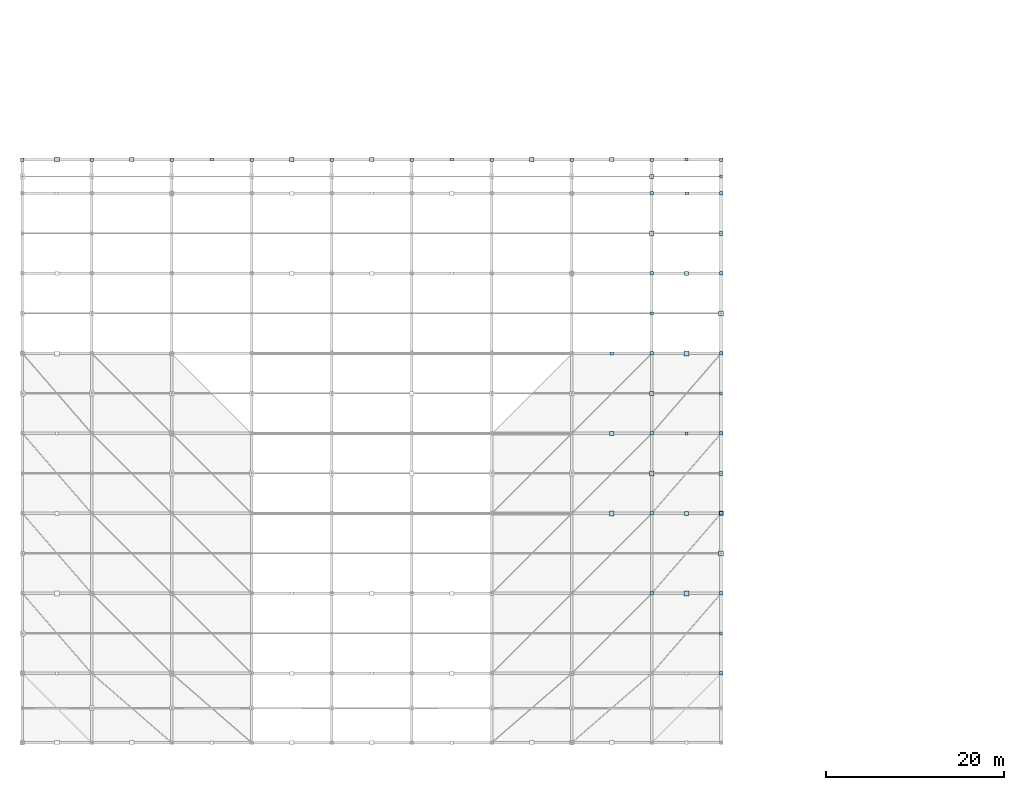
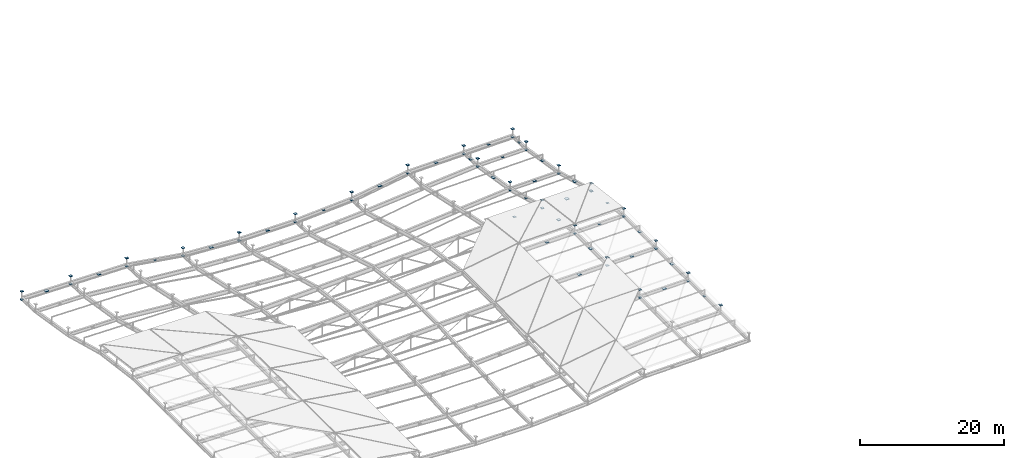
# One storey, part 77 of 80: 79 plates.
"""IFC4 building model written with IfcOpenShell, lengths in metres."""

from ifc_helpers import new_model, si_unit, direction, frame, origin, origin_2d, place, context, subcontext, project, spatial, rectangle, extrude, material, layer, layer_set, type_object, element, save


model = new_model("IFC4")

# Units and contexts
model_context = context("Model", 3, precision=1e-05, world=origin(), true_north=direction((0.0, 1.0)))
body_context = subcontext(model_context, "Body", "Model", "MODEL_VIEW")
ifc_project = project(units=[si_unit("LENGTHUNIT", "METRE"), si_unit("AREAUNIT", "SQUARE_METRE"), si_unit("VOLUMEUNIT", "CUBIC_METRE"), si_unit("PLANEANGLEUNIT", "RADIAN"), si_unit("MASSUNIT", "GRAM", prefix="KILO")], contexts=[model_context])

# Site, building, storey
site_placement = place(None, origin())
site = spatial("IfcSite", under=ifc_project, at=site_placement, CompositionType="ELEMENT")
building_placement = place(site_placement, origin())
building = spatial("IfcBuilding", under=site, at=building_placement, Name="Barlavento Convention Centre", CompositionType="ELEMENT")
storey_placement = place(building_placement, frame((0.0, 0.0, 29.800048828125)))
storey = spatial("IfcBuildingStorey", under=building, at=storey_placement, Name="RF", CompositionType="ELEMENT", Elevation=29.800048828125)

# Plates
ifc_material = material(Name="Steel S355", Category="steel")
ifc_layer_1 = layer(ifc_material, 0.02197265625)
ifc_layer_set_1 = layer_set([ifc_layer_1], Name="STR-PLT-CAP-360")
plate_type_1 = type_object("IfcPlateType", Name="STR-PLT-CAP-360", PredefinedType="SHEET", material=ifc_layer_set_1)
for number, where, z_axis, x_axis, name in (
    (1, (66.89990234375, 27.0, 0.33251953125), (0.0, 0.0, 1.0), (1.0, 0.0, 0.0), "Space frame node hub plate EC02"),
    (2, (58.5, 36.0, -0.97509765625), (0.0, 0.0, 1.0), (1.0, 0.0, 0.0), "Space frame node hub plate EC02"),
    (3, (66.97998046875, 54.0, -4.7275390625), (0.0, 0.0, 1.0), (1.0, 0.0, 0.0), "Space frame node hub plate EC02"),
    (4, (13.5, 57.800048828125, -5.760986328125), (0.0, 0.0, 1.0), (1.0, 0.0, 0.0), "Space frame node hub plate EC02"),
    (5, (40.5, 57.800048828125, -6.7392578125), (0.0, 0.0, 1.0), (1.0, 0.0, 0.0), "Space frame node hub plate EC02"),
    (6, (66.89990234375, 57.800048828125, -4.86767578125), (0.0, 0.0, 1.0), (1.0, 0.0, 0.0), "Space frame node hub plate EC02"),
    (7, (63.0, 9.0, 0.27587890625), (0.0, 0.0, 1.0), (1.0, 0.0, 0.0), "Space frame node hub plate EC02"),
    (8, (63.0, 40.5, -2.116943359375), (0.0, 0.0, 1.0), (1.0, 0.0, 0.0), "Space frame node hub plate EC02"),
    (9, (70.800048828125, 4.5, 0.388916015625), (0.0, 0.0, 1.0), (1.0, 0.0, 0.0), "Space frame node hub plate EC02"),
    (10, (70.800048828125, 31.5, -0.203857421875), (0.0, 0.0, 1.0), (1.0, 0.0, 0.0), "Space frame node hub plate EC02"),
    (11, (70.800048828125, 55.89990234375, -4.741455078125), (0.0, 0.0, 1.0), (1.0, 0.0, 0.0), "Space frame node hub plate EC02"),
    (12, (70.800048828125, 27.0, 0.388916015625), (0.0, 0.0, 1.0), (1.0, 0.0, 0.0), "Hollow V-strut sealed end-cap plate"),
    (13, (70.800048828125, 36.0, -0.796630859375), (0.0, 0.0, 1.0), (1.0, 0.0, 0.0), "Hollow V-strut sealed end-cap plate"),
):
    element("IfcPlate", number, at=place(storey_placement, frame(where, z_axis=z_axis, x_axis=x_axis)), inside=storey, type_object=plate_type_1, Name=name, PredefinedType="SHEET", context=body_context, shape_type="SweptSolid", body=[
        extrude(rectangle(XDim=0.360107421875, YDim=0.360107421875, at=origin_2d()), origin(), (0.0, 0.0, 1.0), 0.02197265625),
    ])
ifc_layer_2 = layer(ifc_material, 0.06005859375)
ifc_layer_set_2 = layer_set([ifc_layer_2], Name="STR-PLT-CAP-400")
plate_type_2 = type_object("IfcPlateType", Name="STR-PLT-CAP-400", PredefinedType="SHEET", material=ifc_layer_set_2)
for number, where, z_axis, x_axis, name in (
    (14, (-7.800048828125, 57.800048828125, -4.97998046875), (0.0, 0.0, 1.0), (1.0, 0.0, 0.0), "Space frame post sealing end-cap plate EC05"),
    (15, (-7.800048828125, 57.800048828125, -3.610107421875), (0.0, 0.0, 1.0), (1.0, 0.0, 0.0), "Space frame post sealing end-cap plate EC05"),
    (16, (0.0, 57.800048828125, -5.09326171875), (0.0, 0.0, 1.0), (1.0, 0.0, 0.0), "Space frame post sealing end-cap plate EC05"),
    (17, (0.0, 57.800048828125, -3.72314453125), (0.0, 0.0, 1.0), (1.0, 0.0, 0.0), "Space frame post sealing end-cap plate EC05"),
    (18, (9.0, 57.800048828125, -5.223876953125), (0.0, 0.0, 1.0), (1.0, 0.0, 0.0), "Space frame post sealing end-cap plate EC05"),
    (19, (9.0, 57.800048828125, -3.853759765625), (0.0, 0.0, 1.0), (1.0, 0.0, 0.0), "Space frame post sealing end-cap plate EC05"),
    (20, (18.0, 57.800048828125, -6.636474609375), (0.0, 0.0, 1.0), (1.0, 0.0, 0.0), "Space frame post sealing end-cap plate EC05"),
    (21, (18.0, 57.800048828125, -5.266357421875), (0.0, 0.0, 1.0), (1.0, 0.0, 0.0), "Space frame post sealing end-cap plate EC05"),
    (22, (27.0, 57.800048828125, -7.18017578125), (0.0, 0.0, 1.0), (1.0, 0.0, 0.0), "Space frame post sealing end-cap plate EC05"),
    (23, (27.0, 57.800048828125, -5.81005859375), (0.0, 0.0, 1.0), (1.0, 0.0, 0.0), "Space frame post sealing end-cap plate EC05"),
    (24, (36.0, 57.800048828125, -7.18017578125), (0.0, 0.0, 1.0), (1.0, 0.0, 0.0), "Space frame post sealing end-cap plate EC05"),
    (25, (36.0, 57.800048828125, -5.81005859375), (0.0, 0.0, 1.0), (1.0, 0.0, 0.0), "Space frame post sealing end-cap plate EC05"),
    (26, (45.0, 57.800048828125, -6.636474609375), (0.0, 0.0, 1.0), (1.0, 0.0, 0.0), "Space frame post sealing end-cap plate EC05"),
    (27, (45.0, 57.800048828125, -5.266357421875), (0.0, 0.0, 1.0), (1.0, 0.0, 0.0), "Space frame post sealing end-cap plate EC05"),
    (28, (54.0, 57.800048828125, -5.223876953125), (0.0, 0.0, 1.0), (1.0, 0.0, 0.0), "Space frame post sealing end-cap plate EC05"),
    (29, (54.0, 57.800048828125, -3.853759765625), (0.0, 0.0, 1.0), (1.0, 0.0, 0.0), "Space frame post sealing end-cap plate EC05"),
    (30, (63.0, 9.0, 0.10693359375), (0.0, 0.0, 1.0), (1.0, 0.0, 0.0), "Space frame post sealing end-cap plate EC05"),
    (31, (63.0, 9.0, 1.476806640625), (0.0, 0.0, 1.0), (1.0, 0.0, 0.0), "Space frame post sealing end-cap plate EC05"),
    (32, (63.0, 18.0, 0.10693359375), (0.0, 0.0, 1.0), (1.0, 0.0, 0.0), "Space frame post sealing end-cap plate EC05"),
    (33, (63.0, 18.0, 1.476806640625), (0.0, 0.0, 1.0), (1.0, 0.0, 0.0), "Space frame post sealing end-cap plate EC05"),
    (34, (63.0, 27.0, 0.10693359375), (0.0, 0.0, 1.0), (1.0, 0.0, 0.0), "Space frame post sealing end-cap plate EC05"),
    (35, (63.0, 27.0, 1.476806640625), (0.0, 0.0, 1.0), (1.0, 0.0, 0.0), "Space frame post sealing end-cap plate EC05"),
    (36, (63.0, 36.0, -1.078857421875), (0.0, 0.0, 1.0), (1.0, 0.0, 0.0), "Space frame post sealing end-cap plate EC05"),
    (37, (63.0, 36.0, 0.291015625), (0.0, 0.0, 1.0), (1.0, 0.0, 0.0), "Space frame post sealing end-cap plate EC05"),
    (38, (63.0, 45.0, -3.4931640625), (0.0, 0.0, 1.0), (1.0, 0.0, 0.0), "Space frame post sealing end-cap plate EC05"),
    (39, (63.0, 45.0, -2.123291015625), (0.0, 0.0, 1.0), (1.0, 0.0, 0.0), "Space frame post sealing end-cap plate EC05"),
    (40, (63.0, 54.0, -4.9541015625), (0.0, 0.0, 1.0), (1.0, 0.0, 0.0), "Space frame post sealing end-cap plate EC05"),
    (41, (63.0, 54.0, -3.584228515625), (0.0, 0.0, 1.0), (1.0, 0.0, 0.0), "Space frame post sealing end-cap plate EC05"),
    (42, (63.0, 57.800048828125, -5.09326171875), (0.0, 0.0, 1.0), (1.0, 0.0, 0.0), "Space frame post sealing end-cap plate EC05"),
    (43, (63.0, 57.800048828125, -3.72314453125), (0.0, 0.0, 1.0), (1.0, 0.0, 0.0), "Space frame post sealing end-cap plate EC05"),
    (44, (70.800048828125, 0.0, 1.58984375), (0.0, 0.0, 1.0), (1.0, 0.0, 0.0), "Space frame post sealing end-cap plate EC05"),
    (45, (70.800048828125, 9.0, 0.219970703125), (0.0, 0.0, 1.0), (1.0, 0.0, 0.0), "Space frame post sealing end-cap plate EC05"),
    (46, (70.800048828125, 9.0, 1.58984375), (0.0, 0.0, 1.0), (1.0, 0.0, 0.0), "Space frame post sealing end-cap plate EC05"),
    (47, (70.800048828125, 18.0, 0.219970703125), (0.0, 0.0, 1.0), (1.0, 0.0, 0.0), "Space frame post sealing end-cap plate EC05"),
    (48, (70.800048828125, 18.0, 1.58984375), (0.0, 0.0, 1.0), (1.0, 0.0, 0.0), "Space frame post sealing end-cap plate EC05"),
    (49, (70.800048828125, 27.0, 0.219970703125), (0.0, 0.0, 1.0), (1.0, 0.0, 0.0), "Space frame post sealing end-cap plate EC05"),
    (50, (70.800048828125, 27.0, 1.58984375), (0.0, 0.0, 1.0), (1.0, 0.0, 0.0), "Space frame post sealing end-cap plate EC05"),
    (51, (70.800048828125, 36.0, -0.9658203125), (0.0, 0.0, 1.0), (1.0, 0.0, 0.0), "Space frame post sealing end-cap plate EC05"),
    (52, (70.800048828125, 36.0, 0.404296875), (0.0, 0.0, 1.0), (1.0, 0.0, 0.0), "Space frame post sealing end-cap plate EC05"),
    (53, (70.800048828125, 45.0, -3.380126953125), (0.0, 0.0, 1.0), (1.0, 0.0, 0.0), "Space frame post sealing end-cap plate EC05"),
    (54, (70.800048828125, 45.0, -2.010009765625), (0.0, 0.0, 1.0), (1.0, 0.0, 0.0), "Space frame post sealing end-cap plate EC05"),
    (55, (70.800048828125, 54.0, -4.841064453125), (0.0, 0.0, 1.0), (1.0, 0.0, 0.0), "Space frame post sealing end-cap plate EC05"),
    (56, (70.800048828125, 54.0, -3.47119140625), (0.0, 0.0, 1.0), (1.0, 0.0, 0.0), "Space frame post sealing end-cap plate EC05"),
    (57, (70.800048828125, 57.800048828125, -4.97998046875), (0.0, 0.0, 1.0), (1.0, 0.0, 0.0), "Space frame post sealing end-cap plate EC05"),
    (58, (70.800048828125, 57.800048828125, -3.610107421875), (0.0, 0.0, 1.0), (1.0, 0.0, 0.0), "Space frame post sealing end-cap plate EC05"),
):
    element("IfcPlate", number, at=place(storey_placement, frame(where, z_axis=z_axis, x_axis=x_axis)), inside=storey, type_object=plate_type_2, Name=name, PredefinedType="SHEET", context=body_context, shape_type="SweptSolid", body=[
        extrude(rectangle(XDim=0.39990234375, YDim=0.39990234375, at=origin_2d()), origin(), (0.0, 0.0, 1.0), 0.06005859375),
    ])
ifc_layer_3 = layer(ifc_material, 0.02587890625)
ifc_layer_set_3 = layer_set([ifc_layer_3], Name="STR-PLT-CAP-480")
plate_type_3 = type_object("IfcPlateType", Name="STR-PLT-CAP-480", PredefinedType="SHEET", material=ifc_layer_set_3)
plate_placement = place(storey_placement, frame((70.800048828125, 18.0, 0.386962890625), z_axis=(0.0, 0.0, 1.0), x_axis=(1.0, 0.0, 0.0)))
element("IfcPlate", 59, at=plate_placement, inside=storey, type_object=plate_type_3, Name="Hollow V-strut sealed end-cap plate", PredefinedType="SHEET", context=body_context, shape_type="SweptSolid", body=[
    extrude(rectangle(XDim=0.5, YDim=0.5, at=origin_2d()), origin(), (0.0, 0.0, 1.0), 0.02587890625),
])
ifc_layer_4 = layer(ifc_material, 0.035888671875)
ifc_layer_set_4 = layer_set([ifc_layer_4], Name="STR-PLT-NODE-SFN1")
plate_type_4 = type_object("IfcPlateType", Name="STR-PLT-NODE-SFN1", PredefinedType="USERDEFINED", material=ifc_layer_set_4)
for number, where, z_axis, x_axis, name in (
    (60, (66.89990234375, 9.0, 0.32568359375), (0.0, 0.0, 1.0), (1.0, 0.0, 0.0), "Space frame node hub plate SFN1"),
    (61, (58.5, 18.0, 0.20361328125), (0.0, 0.0, 1.0), (1.0, 0.0, 0.0), "Space frame node hub plate SFN1"),
    (62, (66.89990234375, 36.0, -0.8603515625), (0.0, 0.0, 1.0), (1.0, 0.0, 0.0), "Space frame node hub plate SFN1"),
    (63, (-3.89990234375, 57.800048828125, -4.87451171875), (0.0, 0.0, 1.0), (1.0, 0.0, 0.0), "Space frame node hub plate SFN1"),
    (64, (22.5, 57.800048828125, -6.74609375), (0.0, 0.0, 1.0), (1.0, 0.0, 0.0), "Space frame node hub plate SFN1"),
    (65, (49.5, 57.800048828125, -5.76806640625), (0.0, 0.0, 1.0), (1.0, 0.0, 0.0), "Space frame node hub plate SFN1"),
    (66, (63.0, 22.5, 0.26904296875), (0.0, 0.0, 1.0), (1.0, 0.0, 0.0), "Space frame node hub plate SFN1"),
    (67, (63.0, 49.5, -4.0615234375), (0.0, 0.0, 1.0), (1.0, 0.0, 0.0), "Space frame node hub plate SFN1"),
    (68, (70.800048828125, 13.5, 0.3818359375), (0.0, 0.0, 1.0), (1.0, 0.0, 0.0), "Space frame node hub plate SFN1"),
    (69, (70.800048828125, 40.5, -2.0107421875), (0.0, 0.0, 1.0), (1.0, 0.0, 0.0), "Space frame node hub plate SFN1"),
):
    element("IfcPlate", number, at=place(storey_placement, frame(where, z_axis=z_axis, x_axis=x_axis)), inside=storey, type_object=plate_type_4, Name=name, ObjectType="GUSSET_PLATE", PredefinedType="USERDEFINED", context=body_context, shape_type="SweptSolid", body=[
        extrude(rectangle(XDim=0.5400390625, YDim=0.5400390625, at=origin_2d()), origin(), (0.0, 0.0, 1.0), 0.035888671875),
    ])
ifc_layer_5 = layer(ifc_material, 0.031982421875)
ifc_layer_set_5 = layer_set([ifc_layer_5], Name="STR-PLT-NODE-SFN2")
plate_type_5 = type_object("IfcPlateType", Name="STR-PLT-NODE-SFN2", PredefinedType="USERDEFINED", material=ifc_layer_set_5)
for number, where, z_axis, x_axis, name in (
    (70, (66.89990234375, 18.0, 0.32763671875), (0.0, 0.0, 1.0), (1.0, 0.0, 0.0), "Space frame node hub plate SFN2"),
    (71, (58.5, 27.0, 0.20556640625), (0.0, 0.0, 1.0), (1.0, 0.0, 0.0), "Space frame node hub plate SFN2"),
    (72, (66.89990234375, 45.0, -3.2724609375), (0.0, 0.0, 1.0), (1.0, 0.0, 0.0), "Space frame node hub plate SFN2"),
    (73, (4.5, 57.800048828125, -4.99462890625), (0.0, 0.0, 1.0), (1.0, 0.0, 0.0), "Space frame node hub plate SFN2"),
    (74, (31.5, 57.800048828125, -7.01611328125), (0.0, 0.0, 1.0), (1.0, 0.0, 0.0), "Space frame node hub plate SFN2"),
    (75, (58.5, 57.800048828125, -4.99462890625), (0.0, 0.0, 1.0), (1.0, 0.0, 0.0), "Space frame node hub plate SFN2"),
    (76, (63.0, 31.5, -0.32177734375), (0.0, 0.0, 1.0), (1.0, 0.0, 0.0), "Space frame node hub plate SFN2"),
    (77, (63.0, 55.89990234375, -4.85986328125), (0.0, 0.0, 1.0), (1.0, 0.0, 0.0), "Space frame node hub plate SFN2"),
    (78, (70.800048828125, 22.5, 0.3837890625), (0.0, 0.0, 1.0), (1.0, 0.0, 0.0), "Space frame node hub plate SFN2"),
    (79, (70.800048828125, 49.5, -3.94677734375), (0.0, 0.0, 1.0), (1.0, 0.0, 0.0), "Space frame node hub plate SFN2"),
):
    element("IfcPlate", number, at=place(storey_placement, frame(where, z_axis=z_axis, x_axis=x_axis)), inside=storey, type_object=plate_type_5, Name=name, ObjectType="GUSSET_PLATE", PredefinedType="USERDEFINED", context=body_context, shape_type="SweptSolid", body=[
        extrude(rectangle(XDim=0.4599609375, YDim=0.4599609375, at=origin_2d()), origin(), (0.0, 0.0, 1.0), 0.031982421875),
    ])

save(model, "model.ifc")
